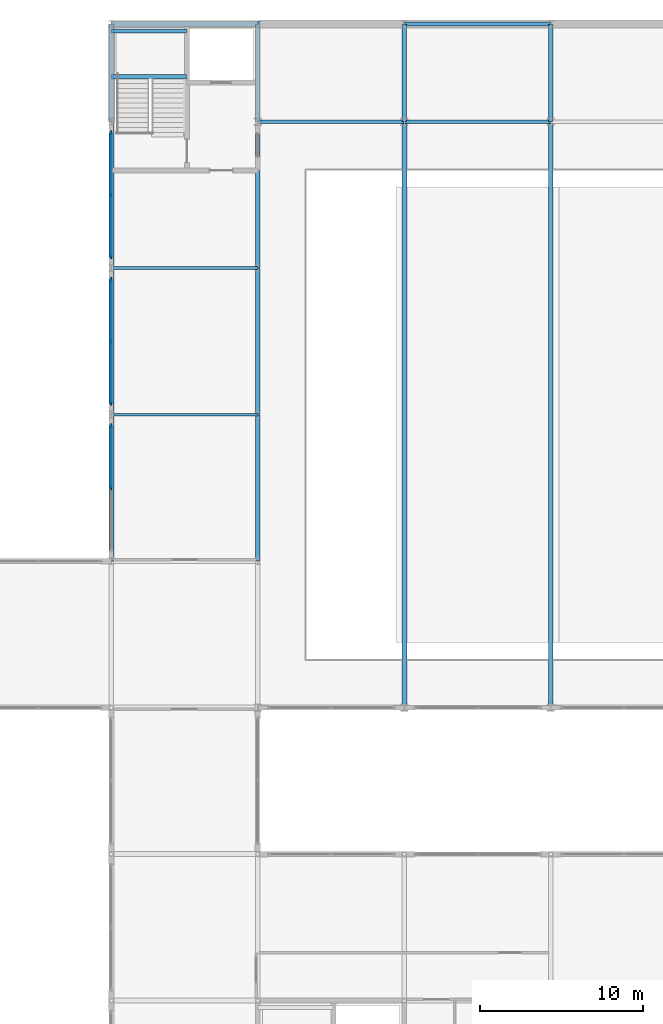
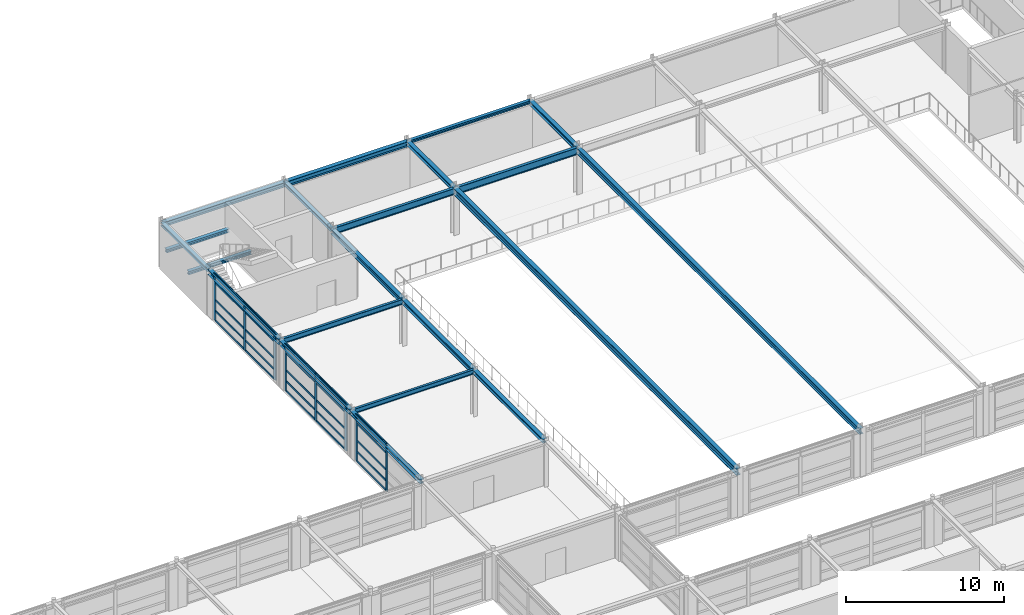
# One storey, part 39 of 79: 35 members, 19 beams, 3 elements without a shape of their own.
"""IFC4 building model written with IfcOpenShell, lengths in metres."""

import ifcopenshell
import ifcopenshell.guid

model = None  # the IFC model being written
_history = None  # IfcOwnerHistory: only IFC2X3 demands one
_inside = {}  # id of a spatial element -> (the spatial element, [elements in it])
_under = {}  # id of a project, library or spatial element -> (it, [spatial elements below it])
_declared = {}  # id of a project -> (the project, [libraries it declares])
_typed = {}  # id of a type object -> (the type object, [elements of that type])
_made_of = {}  # id of a material, layer set ... -> (it, [elements and type objects made of it])


def new_model(schema):
    """Start an empty IFC model of exactly this schema.

    Asked for "IFC4X3", IfcOpenShell would pick the latest addendum, in which some entities
    have other attributes; the version numbers below select the first issue.
    IFC2X3 requires an IfcOwnerHistory on every rooted entity: one is made here for all.
    """
    global model, _history
    if schema == "IFC4X3":
        model = ifcopenshell.file(schema_version=(4, 3, 0, 0))
    else:
        model = ifcopenshell.file(schema=schema)
    _inside.clear()
    _under.clear()
    _declared.clear()
    _typed.clear()
    _made_of.clear()
    _history = None
    if model.schema == "IFC2X3":
        org = make("IfcOrganization", Name="unknown")
        user = make(
            "IfcPersonAndOrganization",
            ThePerson=make("IfcPerson", FamilyName="unknown"),
            TheOrganization=org,
        )
        app = make(
            "IfcApplication",
            ApplicationDeveloper=org,
            Version="unknown",
            ApplicationFullName="unknown",
            ApplicationIdentifier="unknown",
        )
        _history = make(
            "IfcOwnerHistory",
            OwningUser=user,
            OwningApplication=app,
            ChangeAction="ADDED",
            CreationDate=0,
        )
    return model


def make(cls, **values):
    """One entity of the class cls with the attributes given. An attribute that is None is left unset."""
    return model.create_entity(
        cls, **{name: value for name, value in values.items() if value is not None}
    )


def rooted(cls, **values):
    """An entity with a GlobalId (a new one), such as an element, a storey or a relation."""
    return make(cls, GlobalId=ifcopenshell.guid.new(), OwnerHistory=_history, **values)


def si_unit(unit_type, name, prefix=None):
    """IfcSIUnit, for example si_unit("LENGTHUNIT", "METRE", prefix="MILLI")."""
    return make("IfcSIUnit", UnitType=unit_type, Prefix=prefix, Name=name)


def assignment(units):
    """IfcUnitAssignment: the units of a project."""
    return None if units is None else make("IfcUnitAssignment", Units=units)


def point(xyz):
    """IfcCartesianPoint."""
    return None if xyz is None else make("IfcCartesianPoint", Coordinates=xyz)


def direction(xyz):
    """IfcDirection."""
    return None if xyz is None else make("IfcDirection", DirectionRatios=xyz)


def frame(location, z_axis=None, x_axis=None):
    """IfcAxis2Placement3D, a coordinate frame: its origin and axes. An axis left out is left unset."""
    return make(
        "IfcAxis2Placement3D",
        Location=point(location),
        Axis=direction(z_axis),
        RefDirection=direction(x_axis),
    )


def frame_2d(location, x_axis=None):
    """IfcAxis2Placement2D, a coordinate frame in the plane: its origin and x axis."""
    return make(
        "IfcAxis2Placement2D", Location=point(location), RefDirection=direction(x_axis)
    )


def origin():
    """The frame at (0, 0, 0) with its axes left unset."""
    return frame((0.0, 0.0, 0.0))


def origin_2d():
    """The frame at (0, 0) in the plane with its x axis left unset."""
    return frame_2d((0.0, 0.0))


def place(relative_to, where):
    """IfcLocalPlacement: puts the frame where relative to a parent placement (None: the world)."""
    return make(
        "IfcLocalPlacement", PlacementRelTo=relative_to, RelativePlacement=where
    )


def context(
    kind, dimensions, precision=None, world=None, true_north=None, identifier=None
):
    """IfcGeometricRepresentationContext, for example the 3D "Model" context."""
    return make(
        "IfcGeometricRepresentationContext",
        ContextIdentifier=identifier,
        ContextType=kind,
        CoordinateSpaceDimension=dimensions,
        Precision=precision,
        WorldCoordinateSystem=world,
        TrueNorth=true_north,
    )


def subcontext(parent, identifier, kind, view, scale=None):
    """IfcGeometricRepresentationSubContext, for example "Body" below "Model"."""
    return make(
        "IfcGeometricRepresentationSubContext",
        ContextIdentifier=identifier,
        ContextType=kind,
        ParentContext=parent,
        TargetScale=scale,
        TargetView=view,
    )


def project(units=None, contexts=None):
    """IfcProject with its units and contexts."""
    return rooted(
        "IfcProject",
        Name="project",
        RepresentationContexts=contexts,
        UnitsInContext=assignment(units),
    )


def spatial(cls, under=None, at=None, **own):
    """A site, building, storey or space (cls), placed at a placement, below another one or the project."""
    s = rooted(cls, ObjectPlacement=at, **own)
    if under is not None:
        _under.setdefault(under.id(), (under, []))[1].append(s)
    return s


def profile(cls, at=None, kind="AREA", **sizes):
    """A parametric profile (cls). Its sizes go by their IFC names, for example OverallWidth=200.0."""
    return make(cls, ProfileType=kind, Position=at, **sizes)


def rectangle(**sizes):
    """IfcRectangleProfileDef."""
    return profile("IfcRectangleProfileDef", **sizes)


def i_section(**sizes):
    """IfcIShapeProfileDef."""
    return profile("IfcIShapeProfileDef", **sizes)


def extrude(swept, where, along, depth):
    """IfcExtrudedAreaSolid: the profile swept, set in the frame where, extruded along a direction by depth."""
    return make(
        "IfcExtrudedAreaSolid",
        SweptArea=swept,
        Position=where,
        ExtrudedDirection=direction(along),
        Depth=depth,
    )


def shape(context_of_items, identifier, shape_type, items):
    """IfcShapeRepresentation: the items that make up one representation, for example the "Body"."""
    return make(
        "IfcShapeRepresentation",
        ContextOfItems=context_of_items,
        RepresentationIdentifier=identifier,
        RepresentationType=shape_type,
        Items=items,
    )


def material(Name=None, Category=None):
    """IfcMaterial."""
    return make("IfcMaterial", Name=Name, Category=Category)


def material_profile(
    of_material, cross_section, Name=None, Category=None, Priority=None
):
    """IfcMaterialProfile: a cross section and its material."""
    return make(
        "IfcMaterialProfile",
        Name=Name,
        Material=of_material,
        Profile=cross_section,
        Priority=Priority,
        Category=Category,
    )


def profile_set(profiles, Name=None, composite=None):
    """IfcMaterialProfileSet."""
    return make(
        "IfcMaterialProfileSet",
        Name=Name,
        MaterialProfiles=profiles,
        CompositeProfile=composite,
    )


def made_of(thing, what):
    """Note that an element or type object is made of a material, layer set ...; save() writes the relation."""
    if what is not None:
        _made_of.setdefault(what.id(), (what, []))[1].append(thing)
    return thing


def type_object(cls, material=None, **own):
    """A type object (cls), such as IfcWallType, which elements share."""
    return made_of(rooted(cls, **own), material)


def element(
    cls,
    number,
    at=None,
    inside=None,
    cuts=None,
    type_object=None,
    material=None,
    context=None,
    identifier="Body",
    shape_type=None,
    held_by="IfcProductDefinitionShape",
    body=None,
    shapes=None,
    **own,
):
    """One element of the class cls, such as IfcWall. Its Tag is "e" and its number.

    at: its placement. inside: the storey or other place that contains it. cuts: it is an
    opening in that element (IfcRelVoidsElement). A single representation is given by context,
    identifier, shape_type and body (its items); several are given by shapes. held_by: the class
    of the entity that holds the representations. save() writes the other relations.
    """
    e = rooted(cls, Tag="e%d" % number, ObjectPlacement=at, **own)
    if body is not None:
        shapes = [shape(context, identifier, shape_type, body)]
    if shapes is not None:
        e.Representation = make(held_by, Representations=shapes)
    if inside is not None:
        _inside.setdefault(inside.id(), (inside, []))[1].append(e)
    if cuts is not None:
        rooted(
            "IfcRelVoidsElement", RelatingBuildingElement=cuts, RelatedOpeningElement=e
        )
    if type_object is not None:
        _typed.setdefault(type_object.id(), (type_object, []))[1].append(e)
    return made_of(e, material)


def aggregate(whole, parts):
    """IfcRelAggregates: a whole, such as a stair, and the parts it consists of."""
    return rooted("IfcRelAggregates", RelatingObject=whole, RelatedObjects=parts)


def save(model, path):
    """Write the relations noted so far, then the file.

    IfcRelAggregates (storeys below a building ...), IfcRelContainedInSpatialStructure (elements
    in a storey), IfcRelDefinesByType, IfcRelAssociatesMaterial and IfcRelDeclares: one each for
    every whole, place, type object, material and project.
    """
    for whole, parts in _under.values():
        aggregate(whole, parts)
    for where, things in _inside.values():
        rooted(
            "IfcRelContainedInSpatialStructure",
            RelatedElements=things,
            RelatingStructure=where,
        )
    for kind, things in _typed.values():
        rooted("IfcRelDefinesByType", RelatedObjects=things, RelatingType=kind)
    for what, things in _made_of.values():
        rooted("IfcRelAssociatesMaterial", RelatedObjects=things, RelatingMaterial=what)
    for by, libraries in _declared.values():
        rooted("IfcRelDeclares", RelatingContext=by, RelatedDefinitions=libraries)
    model.write(path)


model = new_model("IFC4")

# Units and contexts
model_context = context("Model", 3, precision=1e-05, world=origin(), true_north=direction((0.0, 1.0)))
body_context = subcontext(model_context, "Body", "Model", "MODEL_VIEW")
ifc_project = project(units=[si_unit("LENGTHUNIT", "METRE"), si_unit("AREAUNIT", "SQUARE_METRE"), si_unit("VOLUMEUNIT", "CUBIC_METRE"), si_unit("PLANEANGLEUNIT", "RADIAN"), si_unit("MASSUNIT", "GRAM", prefix="KILO")], contexts=[model_context])

# Site, building, storey
site_placement = place(None, origin())
site = spatial("IfcSite", under=ifc_project, at=site_placement, CompositionType="ELEMENT")
building_placement = place(site_placement, origin())
building = spatial("IfcBuilding", under=site, at=building_placement, Name="Palais des Congres Ocreval", CompositionType="ELEMENT")
storey_placement = place(building_placement, frame((0.0, 0.0, 4.320068359375)))
storey = spatial("IfcBuildingStorey", under=building, at=storey_placement, Name="L01", CompositionType="ELEMENT", Elevation=4.320068359375)

# Beams
ifc_material_1 = material(Name="Steel S355", Category="steel")
ifc_material_profile_1 = material_profile(ifc_material_1, i_section(OverallWidth=0.169921875, OverallDepth=0.360107421875, WebThickness=0.008056640625, FlangeThickness=0.0126953125, at=origin_2d()), Name="IPE 360")
ifc_profile_set_1 = profile_set([ifc_material_profile_1], Name="Steel S355")
beam_type_1 = type_object("IfcBeamType", Name="Composite Beam IPE 360 Steel S355", PredefinedType="BEAM", material=ifc_profile_set_1)
beam_1_placement = place(storey_placement, frame((99.02001953125, 90.0, 3.39990234375), z_axis=(1.0, 0.0, 0.0), x_axis=(0.0, 1.0, 0.0)))
element("IfcBeam", 1, at=beam_1_placement, inside=storey, type_object=beam_type_1, Name="Beam B01 L01", PredefinedType="BEAM", context=body_context, shape_type="SweptSolid", body=[
    extrude(i_section(OverallWidth=0.169921875, OverallDepth=0.360107421875, WebThickness=0.008056640625, FlangeThickness=0.0126953125, at=origin_2d()), origin(), (0.0, 0.0, 1.0), 8.9599609375),
])
ifc_material_profile_2 = material_profile(ifc_material_1, i_section(OverallWidth=0.179931640625, OverallDepth=0.39990234375, WebThickness=0.008544921875, FlangeThickness=0.013427734375, at=origin_2d()), Name="IPE 400")
ifc_profile_set_2 = profile_set([ifc_material_profile_2], Name="Steel S355")
beam_type_2 = type_object("IfcBeamType", Name="Composite Beam IPE 400 Steel S355", PredefinedType="BEAM", material=ifc_profile_set_2)
beam_2_placement = place(storey_placement, frame((99.02001953125, 99.0, 3.3798828125), z_axis=(1.0, 0.0, 0.0), x_axis=(0.0, 1.0, 0.0)))
element("IfcBeam", 2, at=beam_2_placement, inside=storey, type_object=beam_type_2, Name="Beam B02 L01", PredefinedType="BEAM", context=body_context, shape_type="SweptSolid", body=[
    extrude(i_section(OverallWidth=0.179931640625, OverallDepth=0.39990234375, WebThickness=0.008544921875, FlangeThickness=0.013427734375, at=origin_2d()), origin(), (0.0, 0.0, 1.0), 8.9599609375),
])
ifc_material_profile_3 = material_profile(ifc_material_1, i_section(OverallWidth=0.199951171875, OverallDepth=0.5, WebThickness=0.01025390625, FlangeThickness=0.01611328125, at=origin_2d()), Name="IPE 500")
ifc_profile_set_3 = profile_set([ifc_material_profile_3], Name="Steel S355")
beam_type_3 = type_object("IfcBeamType", Name="Composite Beam IPE 500 Steel S355", PredefinedType="BEAM", material=ifc_profile_set_3)
beam_3_placement = place(storey_placement, frame((108.02001953125, 108.0, 3.329833984375), z_axis=(1.0, 0.0, 0.0), x_axis=(0.0, 1.0, 0.0)))
element("IfcBeam", 3, at=beam_3_placement, inside=storey, type_object=beam_type_3, Name="Beam B04 L01", PredefinedType="BEAM", context=body_context, shape_type="SweptSolid", body=[
    extrude(i_section(OverallWidth=0.199951171875, OverallDepth=0.5, WebThickness=0.01025390625, FlangeThickness=0.01611328125, at=origin_2d()), origin(), (0.0, 0.0, 1.0), 8.9599609375),
])
ifc_material_profile_4 = material_profile(ifc_material_1, i_section(OverallWidth=0.2099609375, OverallDepth=0.550048828125, WebThickness=0.010986328125, FlangeThickness=0.01708984375, at=origin_2d()), Name="IPE 550")
ifc_profile_set_4 = profile_set([ifc_material_profile_4], Name="Steel S355")
beam_type_4 = type_object("IfcBeamType", Name="Composite Beam IPE 550 Steel S355", PredefinedType="BEAM", material=ifc_profile_set_4)
beam_4_placement = place(storey_placement, frame((117.02001953125, 108.0, 3.304931640625), z_axis=(1.0, 0.0, 0.0), x_axis=(0.0, 1.0, 0.0)))
element("IfcBeam", 4, at=beam_4_placement, inside=storey, type_object=beam_type_4, Name="Beam B05 L01", PredefinedType="BEAM", context=body_context, shape_type="SweptSolid", body=[
    extrude(i_section(OverallWidth=0.2099609375, OverallDepth=0.550048828125, WebThickness=0.010986328125, FlangeThickness=0.01708984375, at=origin_2d()), origin(), (0.0, 0.0, 1.0), 8.9599609375),
])

# Curtain wall, members
ifc_material_2 = material(Name="Anodized bronze aluminium and low-E glass", Category="glass")
curtain_wall_type = type_object("IfcCurtainWallType", Name="Unitised Curtain Wall 7900x3660", PredefinedType="USERDEFINED", material=ifc_material_2)
curtain_wall_1_placement = place(storey_placement, origin())
curtain_wall_1 = element("IfcCurtainWall", 5, at=curtain_wall_1_placement, inside=storey, type_object=curtain_wall_type, Name="Unitised Curtain Wall CW02 L01", ObjectType="UNITISED CURTAIN WALL", PredefinedType="USERDEFINED")
ifc_material_3 = material(Name="Anodized bronze aluminium", Category="aluminium")
ifc_material_profile_5 = material_profile(ifc_material_3, rectangle(XDim=0.074951171875, YDim=0.239990234375, at=origin_2d()), Name="ALU 75x240")
ifc_profile_set_5 = profile_set([ifc_material_profile_5], Name="Anodized bronze aluminium")
member_type_1 = type_object("IfcMemberType", Name="Curtain Wall Mullion ALU 75x240", PredefinedType="MULLION", material=ifc_profile_set_5)
member_1_placement = place(storey_placement, frame((99.0, 85.5, 0.0), z_axis=(0.0, 0.0, 1.0), x_axis=(-1.0, 0.0, 0.0)))
member_1 = element("IfcMember", 6, at=member_1_placement, type_object=member_type_1, Name="Curtain Wall Mullion ML01", PredefinedType="MULLION", context=body_context, shape_type="SweptSolid", body=[
    extrude(rectangle(XDim=0.074951171875, YDim=0.239990234375, at=origin_2d()), origin(), (0.0, 0.0, 1.0), 3.599853515625),
])
member_2_placement = place(storey_placement, frame((99.0, 89.3125, 0.0), z_axis=(0.0, 0.0, 1.0), x_axis=(-1.0, 0.0, 0.0)))
member_2 = element("IfcMember", 7, at=member_2_placement, type_object=member_type_1, Name="Curtain Wall Mullion ML01", PredefinedType="MULLION", context=body_context, shape_type="SweptSolid", body=[
    extrude(rectangle(XDim=0.074951171875, YDim=0.239990234375, at=origin_2d()), origin(), (0.0, 0.0, 1.0), 3.599853515625),
])

curtain_wall_2_placement = place(storey_placement, origin())
curtain_wall_2 = element("IfcCurtainWall", 8, at=curtain_wall_2_placement, inside=storey, type_object=curtain_wall_type, Name="Unitised Curtain Wall CW02 L01", ObjectType="UNITISED CURTAIN WALL", PredefinedType="USERDEFINED")
member_3_placement = place(storey_placement, frame((99.0, 90.6875, 0.0), z_axis=(0.0, 0.0, 1.0), x_axis=(-1.0, 0.0, 0.0)))
member_3 = element("IfcMember", 9, at=member_3_placement, type_object=member_type_1, Name="Curtain Wall Mullion ML01", PredefinedType="MULLION", context=body_context, shape_type="SweptSolid", body=[
    extrude(rectangle(XDim=0.074951171875, YDim=0.239990234375, at=origin_2d()), origin(), (0.0, 0.0, 1.0), 3.599853515625),
])
member_4_placement = place(storey_placement, frame((99.0, 94.5, 0.0), z_axis=(0.0, 0.0, 1.0), x_axis=(-1.0, 0.0, 0.0)))
member_4 = element("IfcMember", 10, at=member_4_placement, type_object=member_type_1, Name="Curtain Wall Mullion ML01", PredefinedType="MULLION", context=body_context, shape_type="SweptSolid", body=[
    extrude(rectangle(XDim=0.074951171875, YDim=0.239990234375, at=origin_2d()), origin(), (0.0, 0.0, 1.0), 3.599853515625),
])
member_5_placement = place(storey_placement, frame((99.0, 98.3125, 0.0), z_axis=(0.0, 0.0, 1.0), x_axis=(-1.0, 0.0, 0.0)))
member_5 = element("IfcMember", 11, at=member_5_placement, type_object=member_type_1, Name="Curtain Wall Mullion ML01", PredefinedType="MULLION", context=body_context, shape_type="SweptSolid", body=[
    extrude(rectangle(XDim=0.074951171875, YDim=0.239990234375, at=origin_2d()), origin(), (0.0, 0.0, 1.0), 3.599853515625),
])

curtain_wall_3_placement = place(storey_placement, origin())
curtain_wall_3 = element("IfcCurtainWall", 12, at=curtain_wall_3_placement, inside=storey, type_object=curtain_wall_type, Name="Unitised Curtain Wall CW02 L01", ObjectType="UNITISED CURTAIN WALL", PredefinedType="USERDEFINED")
member_6_placement = place(storey_placement, frame((99.0, 99.6875, 0.0), z_axis=(0.0, 0.0, 1.0), x_axis=(-1.0, 0.0, 0.0)))
member_6 = element("IfcMember", 13, at=member_6_placement, type_object=member_type_1, Name="Curtain Wall Mullion ML01", PredefinedType="MULLION", context=body_context, shape_type="SweptSolid", body=[
    extrude(rectangle(XDim=0.074951171875, YDim=0.239990234375, at=origin_2d()), origin(), (0.0, 0.0, 1.0), 3.599853515625),
])
member_7_placement = place(storey_placement, frame((99.0, 103.5, 0.0), z_axis=(0.0, 0.0, 1.0), x_axis=(-1.0, 0.0, 0.0)))
member_7 = element("IfcMember", 14, at=member_7_placement, type_object=member_type_1, Name="Curtain Wall Mullion ML01", PredefinedType="MULLION", context=body_context, shape_type="SweptSolid", body=[
    extrude(rectangle(XDim=0.074951171875, YDim=0.239990234375, at=origin_2d()), origin(), (0.0, 0.0, 1.0), 3.599853515625),
])
member_8_placement = place(storey_placement, frame((99.0, 107.3125, 0.0), z_axis=(0.0, 0.0, 1.0), x_axis=(-1.0, 0.0, 0.0)))
member_8 = element("IfcMember", 15, at=member_8_placement, type_object=member_type_1, Name="Curtain Wall Mullion ML01", PredefinedType="MULLION", context=body_context, shape_type="SweptSolid", body=[
    extrude(rectangle(XDim=0.074951171875, YDim=0.239990234375, at=origin_2d()), origin(), (0.0, 0.0, 1.0), 3.599853515625),
])

# Member
ifc_material_profile_6 = material_profile(ifc_material_3, rectangle(XDim=0.06005859375, YDim=0.14990234375, at=origin_2d()), Name="ALU 60x150")
ifc_profile_set_6 = profile_set([ifc_material_profile_6], Name="Anodized bronze aluminium")
member_type_2 = type_object("IfcMemberType", Name="Curtain Wall Transom ALU 60x150", PredefinedType="USERDEFINED", material=ifc_profile_set_6)
member_9_placement = place(storey_placement, frame((99.0, 85.53759765625, 0.030029296875), z_axis=(0.0, 1.0, 0.0), x_axis=(-1.0, 0.0, 0.0)))
member_9 = element("IfcMember", 16, at=member_9_placement, type_object=member_type_2, Name="Curtain Wall Transom TR01", ObjectType="TRANSOM", PredefinedType="USERDEFINED", context=body_context, shape_type="SweptSolid", body=[
    extrude(rectangle(XDim=0.06005859375, YDim=0.14990234375, at=origin_2d()), origin(), (0.0, 0.0, 1.0), 3.7373046875),
])

member_10_placement = place(storey_placement, frame((99.0, 85.53759765625, 0.780029296875), z_axis=(0.0, 1.0, 0.0), x_axis=(-1.0, 0.0, 0.0)))
member_10 = element("IfcMember", 17, at=member_10_placement, type_object=member_type_2, Name="Curtain Wall Transom TR01", ObjectType="TRANSOM", PredefinedType="USERDEFINED", context=body_context, shape_type="SweptSolid", body=[
    extrude(rectangle(XDim=0.06005859375, YDim=0.14990234375, at=origin_2d()), origin(), (0.0, 0.0, 1.0), 3.7373046875),
])

member_11_placement = place(storey_placement, frame((99.0, 85.53759765625, 1.622314453125), z_axis=(0.0, 1.0, 0.0), x_axis=(-1.0, 0.0, 0.0)))
member_11 = element("IfcMember", 18, at=member_11_placement, type_object=member_type_2, Name="Curtain Wall Transom TR01", ObjectType="TRANSOM", PredefinedType="USERDEFINED", context=body_context, shape_type="SweptSolid", body=[
    extrude(rectangle(XDim=0.06005859375, YDim=0.14990234375, at=origin_2d()), origin(), (0.0, 0.0, 1.0), 3.7373046875),
])

member_12_placement = place(storey_placement, frame((99.0, 85.53759765625, 2.949951171875), z_axis=(0.0, 1.0, 0.0), x_axis=(-1.0, 0.0, 0.0)))
member_12 = element("IfcMember", 19, at=member_12_placement, type_object=member_type_2, Name="Curtain Wall Transom TR01", ObjectType="TRANSOM", PredefinedType="USERDEFINED", context=body_context, shape_type="SweptSolid", body=[
    extrude(rectangle(XDim=0.06005859375, YDim=0.14990234375, at=origin_2d()), origin(), (0.0, 0.0, 1.0), 3.7373046875),
])

member_13_placement = place(storey_placement, frame((99.0, 85.53759765625, 3.56982421875), z_axis=(0.0, 1.0, 0.0), x_axis=(-1.0, 0.0, 0.0)))
member_13 = element("IfcMember", 20, at=member_13_placement, type_object=member_type_2, Name="Curtain Wall Transom TR01", ObjectType="TRANSOM", PredefinedType="USERDEFINED", context=body_context, shape_type="SweptSolid", body=[
    extrude(rectangle(XDim=0.06005859375, YDim=0.14990234375, at=origin_2d()), origin(), (0.0, 0.0, 1.0), 3.7373046875),
])

aggregate(curtain_wall_1, [member_1, member_2, member_9, member_10, member_11, member_12, member_13])

member_14_placement = place(storey_placement, frame((99.0, 90.72509765625, 0.030029296875), z_axis=(0.0, 1.0, 0.0), x_axis=(-1.0, 0.0, 0.0)))
member_14 = element("IfcMember", 21, at=member_14_placement, type_object=member_type_2, Name="Curtain Wall Transom TR01", ObjectType="TRANSOM", PredefinedType="USERDEFINED", context=body_context, shape_type="SweptSolid", body=[
    extrude(rectangle(XDim=0.06005859375, YDim=0.14990234375, at=origin_2d()), origin(), (0.0, 0.0, 1.0), 3.7373046875),
])

member_15_placement = place(storey_placement, frame((99.0, 90.72509765625, 0.780029296875), z_axis=(0.0, 1.0, 0.0), x_axis=(-1.0, 0.0, 0.0)))
member_15 = element("IfcMember", 22, at=member_15_placement, type_object=member_type_2, Name="Curtain Wall Transom TR01", ObjectType="TRANSOM", PredefinedType="USERDEFINED", context=body_context, shape_type="SweptSolid", body=[
    extrude(rectangle(XDim=0.06005859375, YDim=0.14990234375, at=origin_2d()), origin(), (0.0, 0.0, 1.0), 3.7373046875),
])

member_16_placement = place(storey_placement, frame((99.0, 90.72509765625, 1.622314453125), z_axis=(0.0, 1.0, 0.0), x_axis=(-1.0, 0.0, 0.0)))
member_16 = element("IfcMember", 23, at=member_16_placement, type_object=member_type_2, Name="Curtain Wall Transom TR01", ObjectType="TRANSOM", PredefinedType="USERDEFINED", context=body_context, shape_type="SweptSolid", body=[
    extrude(rectangle(XDim=0.06005859375, YDim=0.14990234375, at=origin_2d()), origin(), (0.0, 0.0, 1.0), 3.7373046875),
])

member_17_placement = place(storey_placement, frame((99.0, 90.72509765625, 2.949951171875), z_axis=(0.0, 1.0, 0.0), x_axis=(-1.0, 0.0, 0.0)))
member_17 = element("IfcMember", 24, at=member_17_placement, type_object=member_type_2, Name="Curtain Wall Transom TR01", ObjectType="TRANSOM", PredefinedType="USERDEFINED", context=body_context, shape_type="SweptSolid", body=[
    extrude(rectangle(XDim=0.06005859375, YDim=0.14990234375, at=origin_2d()), origin(), (0.0, 0.0, 1.0), 3.7373046875),
])

member_18_placement = place(storey_placement, frame((99.0, 90.72509765625, 3.56982421875), z_axis=(0.0, 1.0, 0.0), x_axis=(-1.0, 0.0, 0.0)))
member_18 = element("IfcMember", 25, at=member_18_placement, type_object=member_type_2, Name="Curtain Wall Transom TR01", ObjectType="TRANSOM", PredefinedType="USERDEFINED", context=body_context, shape_type="SweptSolid", body=[
    extrude(rectangle(XDim=0.06005859375, YDim=0.14990234375, at=origin_2d()), origin(), (0.0, 0.0, 1.0), 3.7373046875),
])

member_19_placement = place(storey_placement, frame((99.0, 94.53759765625, 0.030029296875), z_axis=(0.0, 1.0, 0.0), x_axis=(-1.0, 0.0, 0.0)))
member_19 = element("IfcMember", 26, at=member_19_placement, type_object=member_type_2, Name="Curtain Wall Transom TR01", ObjectType="TRANSOM", PredefinedType="USERDEFINED", context=body_context, shape_type="SweptSolid", body=[
    extrude(rectangle(XDim=0.06005859375, YDim=0.14990234375, at=origin_2d()), origin(), (0.0, 0.0, 1.0), 3.7373046875),
])

member_20_placement = place(storey_placement, frame((99.0, 94.53759765625, 0.780029296875), z_axis=(0.0, 1.0, 0.0), x_axis=(-1.0, 0.0, 0.0)))
member_20 = element("IfcMember", 27, at=member_20_placement, type_object=member_type_2, Name="Curtain Wall Transom TR01", ObjectType="TRANSOM", PredefinedType="USERDEFINED", context=body_context, shape_type="SweptSolid", body=[
    extrude(rectangle(XDim=0.06005859375, YDim=0.14990234375, at=origin_2d()), origin(), (0.0, 0.0, 1.0), 3.7373046875),
])

member_21_placement = place(storey_placement, frame((99.0, 94.53759765625, 1.622314453125), z_axis=(0.0, 1.0, 0.0), x_axis=(-1.0, 0.0, 0.0)))
member_21 = element("IfcMember", 28, at=member_21_placement, type_object=member_type_2, Name="Curtain Wall Transom TR01", ObjectType="TRANSOM", PredefinedType="USERDEFINED", context=body_context, shape_type="SweptSolid", body=[
    extrude(rectangle(XDim=0.06005859375, YDim=0.14990234375, at=origin_2d()), origin(), (0.0, 0.0, 1.0), 3.7373046875),
])

member_22_placement = place(storey_placement, frame((99.0, 94.53759765625, 2.949951171875), z_axis=(0.0, 1.0, 0.0), x_axis=(-1.0, 0.0, 0.0)))
member_22 = element("IfcMember", 29, at=member_22_placement, type_object=member_type_2, Name="Curtain Wall Transom TR01", ObjectType="TRANSOM", PredefinedType="USERDEFINED", context=body_context, shape_type="SweptSolid", body=[
    extrude(rectangle(XDim=0.06005859375, YDim=0.14990234375, at=origin_2d()), origin(), (0.0, 0.0, 1.0), 3.7373046875),
])

member_23_placement = place(storey_placement, frame((99.0, 94.53759765625, 3.56982421875), z_axis=(0.0, 1.0, 0.0), x_axis=(-1.0, 0.0, 0.0)))
member_23 = element("IfcMember", 30, at=member_23_placement, type_object=member_type_2, Name="Curtain Wall Transom TR01", ObjectType="TRANSOM", PredefinedType="USERDEFINED", context=body_context, shape_type="SweptSolid", body=[
    extrude(rectangle(XDim=0.06005859375, YDim=0.14990234375, at=origin_2d()), origin(), (0.0, 0.0, 1.0), 3.7373046875),
])

aggregate(curtain_wall_2, [member_3, member_4, member_5, member_14, member_15, member_16, member_17, member_18, member_19, member_20, member_21, member_22, member_23])

member_24_placement = place(storey_placement, frame((99.0, 99.72509765625, 0.030029296875), z_axis=(0.0, 1.0, 0.0), x_axis=(-1.0, 0.0, 0.0)))
member_24 = element("IfcMember", 31, at=member_24_placement, type_object=member_type_2, Name="Curtain Wall Transom TR01", ObjectType="TRANSOM", PredefinedType="USERDEFINED", context=body_context, shape_type="SweptSolid", body=[
    extrude(rectangle(XDim=0.06005859375, YDim=0.14990234375, at=origin_2d()), origin(), (0.0, 0.0, 1.0), 3.7373046875),
])

member_25_placement = place(storey_placement, frame((99.0, 99.72509765625, 0.780029296875), z_axis=(0.0, 1.0, 0.0), x_axis=(-1.0, 0.0, 0.0)))
member_25 = element("IfcMember", 32, at=member_25_placement, type_object=member_type_2, Name="Curtain Wall Transom TR01", ObjectType="TRANSOM", PredefinedType="USERDEFINED", context=body_context, shape_type="SweptSolid", body=[
    extrude(rectangle(XDim=0.06005859375, YDim=0.14990234375, at=origin_2d()), origin(), (0.0, 0.0, 1.0), 3.7373046875),
])

member_26_placement = place(storey_placement, frame((99.0, 99.72509765625, 1.622314453125), z_axis=(0.0, 1.0, 0.0), x_axis=(-1.0, 0.0, 0.0)))
member_26 = element("IfcMember", 33, at=member_26_placement, type_object=member_type_2, Name="Curtain Wall Transom TR01", ObjectType="TRANSOM", PredefinedType="USERDEFINED", context=body_context, shape_type="SweptSolid", body=[
    extrude(rectangle(XDim=0.06005859375, YDim=0.14990234375, at=origin_2d()), origin(), (0.0, 0.0, 1.0), 3.7373046875),
])

member_27_placement = place(storey_placement, frame((99.0, 99.72509765625, 2.949951171875), z_axis=(0.0, 1.0, 0.0), x_axis=(-1.0, 0.0, 0.0)))
member_27 = element("IfcMember", 34, at=member_27_placement, type_object=member_type_2, Name="Curtain Wall Transom TR01", ObjectType="TRANSOM", PredefinedType="USERDEFINED", context=body_context, shape_type="SweptSolid", body=[
    extrude(rectangle(XDim=0.06005859375, YDim=0.14990234375, at=origin_2d()), origin(), (0.0, 0.0, 1.0), 3.7373046875),
])

member_28_placement = place(storey_placement, frame((99.0, 99.72509765625, 3.56982421875), z_axis=(0.0, 1.0, 0.0), x_axis=(-1.0, 0.0, 0.0)))
member_28 = element("IfcMember", 35, at=member_28_placement, type_object=member_type_2, Name="Curtain Wall Transom TR01", ObjectType="TRANSOM", PredefinedType="USERDEFINED", context=body_context, shape_type="SweptSolid", body=[
    extrude(rectangle(XDim=0.06005859375, YDim=0.14990234375, at=origin_2d()), origin(), (0.0, 0.0, 1.0), 3.7373046875),
])

member_29_placement = place(storey_placement, frame((99.0, 103.53759765625, 0.030029296875), z_axis=(0.0, 1.0, 0.0), x_axis=(-1.0, 0.0, 0.0)))
member_29 = element("IfcMember", 36, at=member_29_placement, type_object=member_type_2, Name="Curtain Wall Transom TR01", ObjectType="TRANSOM", PredefinedType="USERDEFINED", context=body_context, shape_type="SweptSolid", body=[
    extrude(rectangle(XDim=0.06005859375, YDim=0.14990234375, at=origin_2d()), origin(), (0.0, 0.0, 1.0), 3.7373046875),
])

member_30_placement = place(storey_placement, frame((99.0, 103.53759765625, 0.780029296875), z_axis=(0.0, 1.0, 0.0), x_axis=(-1.0, 0.0, 0.0)))
member_30 = element("IfcMember", 37, at=member_30_placement, type_object=member_type_2, Name="Curtain Wall Transom TR01", ObjectType="TRANSOM", PredefinedType="USERDEFINED", context=body_context, shape_type="SweptSolid", body=[
    extrude(rectangle(XDim=0.06005859375, YDim=0.14990234375, at=origin_2d()), origin(), (0.0, 0.0, 1.0), 3.7373046875),
])

member_31_placement = place(storey_placement, frame((99.0, 103.53759765625, 1.622314453125), z_axis=(0.0, 1.0, 0.0), x_axis=(-1.0, 0.0, 0.0)))
member_31 = element("IfcMember", 38, at=member_31_placement, type_object=member_type_2, Name="Curtain Wall Transom TR01", ObjectType="TRANSOM", PredefinedType="USERDEFINED", context=body_context, shape_type="SweptSolid", body=[
    extrude(rectangle(XDim=0.06005859375, YDim=0.14990234375, at=origin_2d()), origin(), (0.0, 0.0, 1.0), 3.7373046875),
])

member_32_placement = place(storey_placement, frame((99.0, 103.53759765625, 2.949951171875), z_axis=(0.0, 1.0, 0.0), x_axis=(-1.0, 0.0, 0.0)))
member_32 = element("IfcMember", 39, at=member_32_placement, type_object=member_type_2, Name="Curtain Wall Transom TR01", ObjectType="TRANSOM", PredefinedType="USERDEFINED", context=body_context, shape_type="SweptSolid", body=[
    extrude(rectangle(XDim=0.06005859375, YDim=0.14990234375, at=origin_2d()), origin(), (0.0, 0.0, 1.0), 3.7373046875),
])

member_33_placement = place(storey_placement, frame((99.0, 103.53759765625, 3.56982421875), z_axis=(0.0, 1.0, 0.0), x_axis=(-1.0, 0.0, 0.0)))
member_33 = element("IfcMember", 40, at=member_33_placement, type_object=member_type_2, Name="Curtain Wall Transom TR01", ObjectType="TRANSOM", PredefinedType="USERDEFINED", context=body_context, shape_type="SweptSolid", body=[
    extrude(rectangle(XDim=0.06005859375, YDim=0.14990234375, at=origin_2d()), origin(), (0.0, 0.0, 1.0), 3.7373046875),
])

aggregate(curtain_wall_3, [member_6, member_7, member_8, member_24, member_25, member_26, member_27, member_28, member_29, member_30, member_31, member_32, member_33])

# Beams
ifc_material_profile_7 = material_profile(ifc_material_1, i_section(OverallWidth=0.260009765625, OverallDepth=0.260009765625, WebThickness=0.010009765625, FlangeThickness=0.017578125, at=origin_2d()), Name="HEB 260")
ifc_profile_set_7 = profile_set([ifc_material_profile_7], Name="Steel S355")
beam_type_5 = type_object("IfcBeamType", Name="Opening Lintel HEB 260 Steel S355", PredefinedType="LINTEL", material=ifc_profile_set_7)
for number, where, z_axis, x_axis, name in (
    (41, (99.0, 108.02001953125, 3.449951171875), (0.0, 1.0, 0.0), (-1.0, 0.0, 0.0), "Girder LN01 L01"),
    (42, (108.0, 108.02001953125, 3.449951171875), (0.0, 1.0, 0.0), (-1.0, 0.0, 0.0), "Girder LN01 L01"),
):
    element("IfcBeam", number, at=place(storey_placement, frame(where, z_axis=z_axis, x_axis=x_axis)), inside=storey, type_object=beam_type_5, Name=name, PredefinedType="LINTEL", context=body_context, shape_type="SweptSolid", body=[
        extrude(i_section(OverallWidth=0.260009765625, OverallDepth=0.260009765625, WebThickness=0.010009765625, FlangeThickness=0.017578125, at=origin_2d()), origin(), (0.0, 0.0, 1.0), 5.9599609375),
    ])
for number, where, z_axis, x_axis, name in (
    (43, (99.02001953125, 110.77001953125, 1.58984375), (1.0, 0.0, 0.0), (0.0, 1.0, 0.0), "Stair Landing Support Beam ST07 L01-1"),
    (44, (99.02001953125, 113.580078125, 1.58984375), (1.0, 0.0, 0.0), (0.0, 1.0, 0.0), "Stair Landing Support Beam ST07 L01-2"),
):
    element("IfcBeam", number, at=place(storey_placement, frame(where, z_axis=z_axis, x_axis=x_axis)), inside=storey, type_object=beam_type_5, Name=name, PredefinedType="LINTEL", context=body_context, shape_type="SweptSolid", body=[
        extrude(i_section(OverallWidth=0.260009765625, OverallDepth=0.260009765625, WebThickness=0.010009765625, FlangeThickness=0.017578125, at=origin_2d()), origin(), (0.0, 0.0, 1.0), 4.60986328125),
    ])
ifc_material_profile_8 = material_profile(ifc_material_1, i_section(OverallWidth=0.239990234375, OverallDepth=0.22998046875, WebThickness=0.007568359375, FlangeThickness=0.011962890625, at=origin_2d()), Name="HEA 240")
ifc_profile_set_8 = profile_set([ifc_material_profile_8], Name="Steel S355")
beam_type_6 = type_object("IfcBeamType", Name="Perimeter Spandrel HEA 240 Steel S355", PredefinedType="SPANDREL", material=ifc_profile_set_8)
beam_5_placement = place(storey_placement, frame((117.02001953125, 114.0, 3.46484375), z_axis=(1.0, 0.0, 0.0), x_axis=(0.0, 1.0, 0.0)))
element("IfcBeam", 45, at=beam_5_placement, inside=storey, type_object=beam_type_6, Name="Beam SP01 L01", PredefinedType="SPANDREL", context=body_context, shape_type="SweptSolid", body=[
    extrude(i_section(OverallWidth=0.239990234375, OverallDepth=0.22998046875, WebThickness=0.007568359375, FlangeThickness=0.011962890625, at=origin_2d()), origin(), (0.0, 0.0, 1.0), 8.9599609375),
])
ifc_material_profile_9 = material_profile(ifc_material_1, i_section(OverallWidth=0.300048828125, OverallDepth=0.300048828125, WebThickness=0.010986328125, FlangeThickness=0.01904296875, at=origin_2d()), Name="HEB 300")
ifc_profile_set_9 = profile_set([ifc_material_profile_9], Name="Steel S355")
beam_type_7 = type_object("IfcBeamType", Name="Perimeter Spandrel HEB 300 Steel S355", PredefinedType="SPANDREL", material=ifc_profile_set_9)
for number, where, z_axis, x_axis, name in (
    (46, (99.0, 81.02001953125, 3.429931640625), (0.0, 1.0, 0.0), (-1.0, 0.0, 0.0), "Girder SP02 L01"),
    (47, (108.0, 81.02001953125, 3.429931640625), (0.0, 1.0, 0.0), (-1.0, 0.0, 0.0), "Girder SP02 L01"),
):
    element("IfcBeam", number, at=place(storey_placement, frame(where, z_axis=z_axis, x_axis=x_axis)), inside=storey, type_object=beam_type_7, Name=name, PredefinedType="SPANDREL", context=body_context, shape_type="SweptSolid", body=[
        extrude(i_section(OverallWidth=0.300048828125, OverallDepth=0.300048828125, WebThickness=0.010986328125, FlangeThickness=0.01904296875, at=origin_2d()), origin(), (0.0, 0.0, 1.0), 8.9599609375),
    ])
ifc_material_profile_10 = material_profile(ifc_material_1, i_section(OverallWidth=0.300048828125, OverallDepth=0.360107421875, WebThickness=0.012451171875, FlangeThickness=0.0224609375, at=origin_2d()), Name="HEB 360")
ifc_profile_set_10 = profile_set([ifc_material_profile_10], Name="Steel S355")
beam_type_8 = type_object("IfcBeamType", Name="Perimeter Spandrel HEB 360 Steel S355", PredefinedType="SPANDREL", material=ifc_profile_set_10)
for number, where, z_axis, x_axis, name in (
    (48, (99.0, 90.02001953125, 3.39990234375), (0.0, 1.0, 0.0), (-1.0, 0.0, 0.0), "Girder SP03 L01"),
    (49, (99.02001953125, 114.0, 3.39990234375), (1.0, 0.0, 0.0), (0.0, 1.0, 0.0), "Beam SP03 L01"),
    (50, (108.0, 90.02001953125, 3.39990234375), (0.0, 1.0, 0.0), (-1.0, 0.0, 0.0), "Girder SP03 L01"),
):
    element("IfcBeam", number, at=place(storey_placement, frame(where, z_axis=z_axis, x_axis=x_axis)), inside=storey, type_object=beam_type_8, Name=name, PredefinedType="SPANDREL", context=body_context, shape_type="SweptSolid", body=[
        extrude(i_section(OverallWidth=0.300048828125, OverallDepth=0.360107421875, WebThickness=0.012451171875, FlangeThickness=0.0224609375, at=origin_2d()), origin(), (0.0, 0.0, 1.0), 8.9599609375),
    ])
ifc_material_profile_11 = material_profile(ifc_material_1, i_section(OverallWidth=0.300048828125, OverallDepth=0.39990234375, WebThickness=0.013427734375, FlangeThickness=0.02392578125, at=origin_2d()), Name="HEB 400")
ifc_profile_set_11 = profile_set([ifc_material_profile_11], Name="Steel S355")
beam_type_9 = type_object("IfcBeamType", Name="Perimeter Spandrel HEB 400 Steel S355", PredefinedType="SPANDREL", material=ifc_profile_set_11)
for number, where, z_axis, x_axis, name in (
    (51, (99.0, 99.02001953125, 3.3798828125), (0.0, 1.0, 0.0), (-1.0, 0.0, 0.0), "Girder SP04 L01"),
    (52, (108.0, 99.02001953125, 3.3798828125), (0.0, 1.0, 0.0), (-1.0, 0.0, 0.0), "Girder SP04 L01"),
    (53, (108.02001953125, 114.0, 3.3798828125), (1.0, 0.0, 0.0), (0.0, 1.0, 0.0), "Beam SP04 L01"),
):
    element("IfcBeam", number, at=place(storey_placement, frame(where, z_axis=z_axis, x_axis=x_axis)), inside=storey, type_object=beam_type_9, Name=name, PredefinedType="SPANDREL", context=body_context, shape_type="SweptSolid", body=[
        extrude(i_section(OverallWidth=0.300048828125, OverallDepth=0.39990234375, WebThickness=0.013427734375, FlangeThickness=0.02392578125, at=origin_2d()), origin(), (0.0, 0.0, 1.0), 8.9599609375),
    ])
ifc_material_profile_12 = material_profile(ifc_material_1, i_section(OverallWidth=0.300048828125, OverallDepth=0.2900390625, WebThickness=0.008544921875, FlangeThickness=0.013916015625, at=origin_2d()), Name="HEA 300")
ifc_profile_set_12 = profile_set([ifc_material_profile_12], Name="Steel S355")
beam_type_10 = type_object("IfcBeamType", Name="Primary Beam HEA 300 Steel S355", PredefinedType="BEAM", material=ifc_profile_set_12)
beam_6_placement = place(storey_placement, frame((117.0, 108.02001953125, 3.434814453125), z_axis=(0.0, 1.0, 0.0), x_axis=(-1.0, 0.0, 0.0)))
element("IfcBeam", 54, at=beam_6_placement, inside=storey, type_object=beam_type_10, Name="Girder B08 L01", PredefinedType="BEAM", context=body_context, shape_type="SweptSolid", body=[
    extrude(i_section(OverallWidth=0.300048828125, OverallDepth=0.2900390625, WebThickness=0.008544921875, FlangeThickness=0.013916015625, at=origin_2d()), origin(), (0.0, 0.0, 1.0), 5.9599609375),
])
ifc_material_profile_13 = material_profile(ifc_material_1, i_section(OverallWidth=0.300048828125, OverallDepth=0.330078125, WebThickness=0.009521484375, FlangeThickness=0.0166015625, at=origin_2d()), Name="HEA 340")
ifc_profile_set_13 = profile_set([ifc_material_profile_13], Name="Steel S355")
beam_type_11 = type_object("IfcBeamType", Name="Primary Beam HEA 340 Steel S355", PredefinedType="BEAM", material=ifc_profile_set_13)
beam_7_placement = place(storey_placement, frame((126.0, 108.02001953125, 3.4150390625), z_axis=(0.0, 1.0, 0.0), x_axis=(-1.0, 0.0, 0.0)))
element("IfcBeam", 55, at=beam_7_placement, inside=storey, type_object=beam_type_11, Name="Girder B09 L01", PredefinedType="BEAM", context=body_context, shape_type="SweptSolid", body=[
    extrude(i_section(OverallWidth=0.300048828125, OverallDepth=0.330078125, WebThickness=0.009521484375, FlangeThickness=0.0166015625, at=origin_2d()), origin(), (0.0, 0.0, 1.0), 5.9599609375),
])

# Members
ifc_material_profile_14 = material_profile(ifc_material_1, i_section(OverallWidth=0.300048828125, OverallDepth=0.449951171875, WebThickness=0.013916015625, FlangeThickness=0.02587890625, at=origin_2d()), Name="HEB 450")
ifc_profile_set_14 = profile_set([ifc_material_profile_14], Name="Steel S355")
member_type_3 = type_object("IfcMemberType", Name="Transfer Truss Chord HEB 450 Steel S355", PredefinedType="CHORD", material=ifc_profile_set_14)
member_34_placement = place(storey_placement, frame((126.0, 72.02001953125, 3.33984375), z_axis=(0.0, 1.0, 0.0), x_axis=(-1.0, 0.0, 0.0)))
element("IfcMember", 56, at=member_34_placement, inside=storey, type_object=member_type_3, Name="Transfer Truss Bottom Chord V2-126", PredefinedType="CHORD", context=body_context, shape_type="SweptSolid", body=[
    extrude(i_section(OverallWidth=0.300048828125, OverallDepth=0.449951171875, WebThickness=0.013916015625, FlangeThickness=0.02587890625, at=origin_2d()), origin(), (0.0, 0.0, 1.0), 35.9599609375),
])
ifc_material_4 = material(Name="Steel S460", Category="steel")
ifc_material_profile_15 = material_profile(ifc_material_4, i_section(OverallWidth=0.305908203125, OverallDepth=0.52392578125, WebThickness=0.02099609375, FlangeThickness=0.0400390625, at=origin_2d()), Name="HEM 500")
ifc_profile_set_15 = profile_set([ifc_material_profile_15], Name="Steel S460")
member_type_4 = type_object("IfcMemberType", Name="Transfer Truss Chord HEM 500 Steel S460", PredefinedType="CHORD", material=ifc_profile_set_15)
member_35_placement = place(storey_placement, frame((117.0, 72.02001953125, 3.33984375), z_axis=(0.0, 1.0, 0.0), x_axis=(-1.0, 0.0, 0.0)))
element("IfcMember", 57, at=member_35_placement, inside=storey, type_object=member_type_4, Name="Transfer Truss Bottom Chord V2-117", PredefinedType="CHORD", context=body_context, shape_type="SweptSolid", body=[
    extrude(i_section(OverallWidth=0.305908203125, OverallDepth=0.52392578125, WebThickness=0.02099609375, FlangeThickness=0.0400390625, at=origin_2d()), origin(), (0.0, 0.0, 1.0), 35.9599609375),
])

save(model, "model.ifc")
